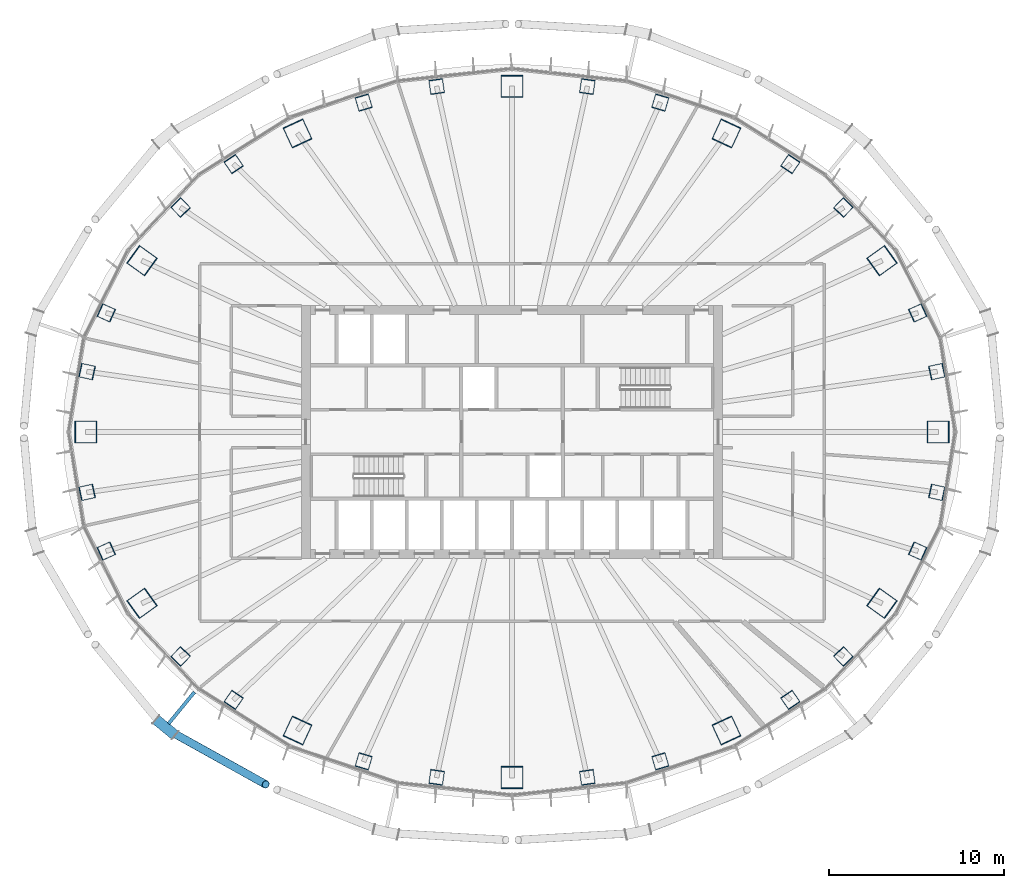
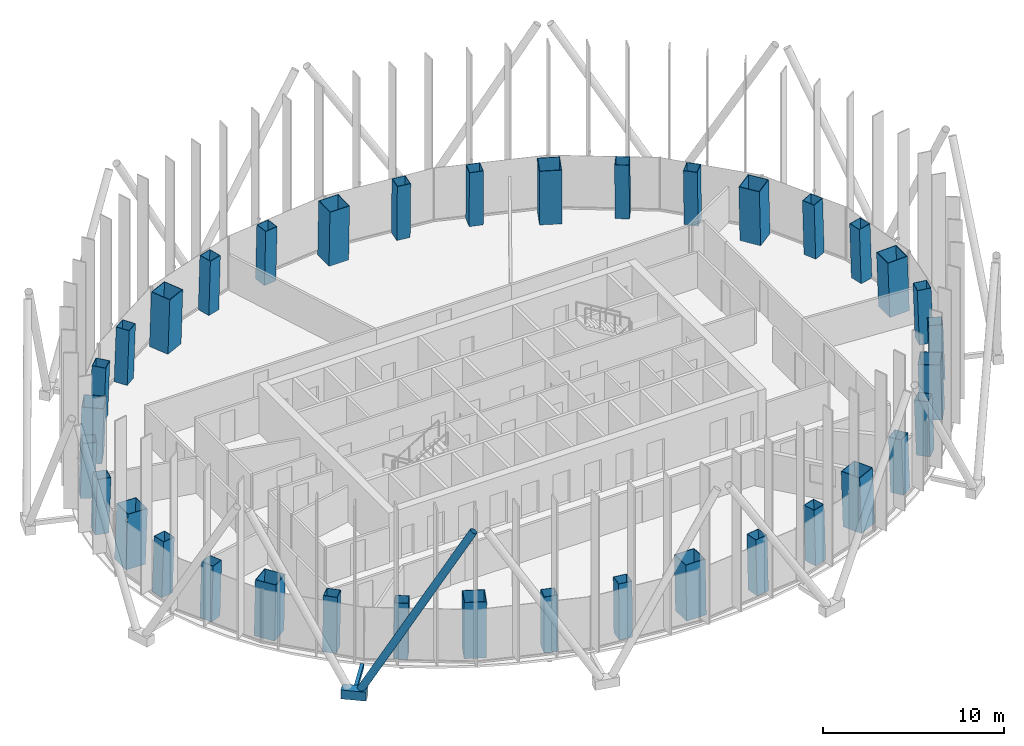
# One storey, part 1 of 19: 36 columns, 3 members.
"""IFC4 building model written with IfcOpenShell, lengths in metres."""

from ifc_helpers import new_model, si_unit, direction, frame, origin, origin_2d, place, context, subcontext, project, spatial, hollow_rectangle, hollow_circle, extrude, material, material_profile, profile_set, type_object, element, save


model = new_model("IFC4")

# Units and contexts
model_context = context("Model", 3, precision=1e-05, world=origin(), true_north=direction((0.0, 1.0)))
body_context = subcontext(model_context, "Body", "Model", "MODEL_VIEW")
ifc_project = project(units=[si_unit("LENGTHUNIT", "METRE"), si_unit("AREAUNIT", "SQUARE_METRE"), si_unit("VOLUMEUNIT", "CUBIC_METRE"), si_unit("PLANEANGLEUNIT", "RADIAN"), si_unit("MASSUNIT", "GRAM", prefix="KILO")], contexts=[model_context])

# Site, building, storey
site_placement = place(None, origin())
site = spatial("IfcSite", under=ifc_project, at=site_placement, CompositionType="ELEMENT")
building_placement = place(site_placement, origin())
building = spatial("IfcBuilding", under=site, at=building_placement, Name="Siaravel Broadcast Tower", CompositionType="ELEMENT")
storey_placement = place(building_placement, frame((0.0, 0.0, 119.300048828125)))
storey = spatial("IfcBuildingStorey", under=building, at=storey_placement, Name="L28", CompositionType="ELEMENT", Elevation=119.300048828125)

# Columns
ifc_material_1 = material(Name="Concrete C60/75", Category="concrete")
ifc_material_profile_1 = material_profile(ifc_material_1, hollow_rectangle(XDim=1.25, YDim=1.25, WallThickness=0.031982421875, at=origin_2d()))
ifc_profile_set_1 = profile_set([ifc_material_profile_1], Name="Concrete C60/75")
column_type_1 = type_object("IfcColumnType", Name="COL-CFT BOX 1250x1250x32", PredefinedType="COLUMN", material=ifc_profile_set_1)
column_1_placement = place(storey_placement, frame((24.313232421875, 0.0, 0.0), z_axis=(-0.034555398, 0.0, 0.999402784), x_axis=(0.0, -1.0, 0.0)))
element("IfcColumn", 1, at=column_1_placement, inside=storey, type_object=column_type_1, Name="Megacolumn MC01", PredefinedType="COLUMN", context=body_context, shape_type="SweptSolid", body=[
    extrude(hollow_rectangle(XDim=1.25, YDim=1.25, WallThickness=0.031982421875, at=origin_2d()), origin(), (0.0, 0.0, 1.0), 3.7021484375),
])
column_2_placement = place(storey_placement, frame((21.109375, 9.7744140625, 0.0), z_axis=(-0.029940667, -0.01417895, 0.999451106), x_axis=(0.583065954, -0.812403096, 0.005941622)))
element("IfcColumn", 2, at=column_2_placement, inside=storey, type_object=column_type_1, Name="Megacolumn MC02", PredefinedType="COLUMN", context=body_context, shape_type="SweptSolid", body=[
    extrude(hollow_rectangle(XDim=1.25, YDim=1.25, WallThickness=0.031982421875, at=origin_2d()), origin(), (0.0, 0.0, 1.0), 3.701904296875),
])
column_3_placement = place(storey_placement, frame((12.236328125, 17.032958984375, 0.0), z_axis=(-0.017280237, -0.024535299, 0.999549605), x_axis=(0.907920416, -0.419107701, 0.005408584)))
element("IfcColumn", 3, at=column_3_placement, inside=storey, type_object=column_type_1, Name="Megacolumn MC03", PredefinedType="COLUMN", context=body_context, shape_type="SweptSolid", body=[
    extrude(hollow_rectangle(XDim=1.25, YDim=1.25, WallThickness=0.031982421875, at=origin_2d()), origin(), (0.0, 0.0, 1.0), 3.70166015625),
])
column_4_placement = place(storey_placement, frame((0.0, 19.71630859375, 0.0), z_axis=(0.0, -0.02836206, 0.999597716), x_axis=(1.0, 0.0, 0.0)))
element("IfcColumn", 4, at=column_4_placement, inside=storey, type_object=column_type_1, Name="Megacolumn MC04", PredefinedType="COLUMN", context=body_context, shape_type="SweptSolid", body=[
    extrude(hollow_rectangle(XDim=1.25, YDim=1.25, WallThickness=0.031982421875, at=origin_2d()), origin(), (0.0, 0.0, 1.0), 3.701416015625),
])
column_5_placement = place(storey_placement, frame((-12.236328125, 17.032958984375, 0.0), z_axis=(0.017280237, -0.024535299, 0.999549605), x_axis=(0.907920416, 0.419107701, -0.005408584)))
element("IfcColumn", 5, at=column_5_placement, inside=storey, type_object=column_type_1, Name="Megacolumn MC05", PredefinedType="COLUMN", context=body_context, shape_type="SweptSolid", body=[
    extrude(hollow_rectangle(XDim=1.25, YDim=1.25, WallThickness=0.031982421875, at=origin_2d()), origin(), (0.0, 0.0, 1.0), 3.70166015625),
])
column_6_placement = place(storey_placement, frame((-21.109375, 9.7744140625, 0.0), z_axis=(0.029940667, -0.01417895, 0.999451106), x_axis=(0.583065954, 0.812403096, -0.005941622)))
element("IfcColumn", 6, at=column_6_placement, inside=storey, type_object=column_type_1, Name="Megacolumn MC06", PredefinedType="COLUMN", context=body_context, shape_type="SweptSolid", body=[
    extrude(hollow_rectangle(XDim=1.25, YDim=1.25, WallThickness=0.031982421875, at=origin_2d()), origin(), (0.0, 0.0, 1.0), 3.701904296875),
])
column_7_placement = place(storey_placement, frame((-24.313232421875, 0.0, 0.0), z_axis=(0.034555398, 0.0, 0.999402784), x_axis=(0.0, 1.0, 0.0)))
element("IfcColumn", 7, at=column_7_placement, inside=storey, type_object=column_type_1, Name="Megacolumn MC07", PredefinedType="COLUMN", context=body_context, shape_type="SweptSolid", body=[
    extrude(hollow_rectangle(XDim=1.25, YDim=1.25, WallThickness=0.031982421875, at=origin_2d()), origin(), (0.0, 0.0, 1.0), 3.7021484375),
])
column_8_placement = place(storey_placement, frame((-21.109375, -9.7744140625, 0.0), z_axis=(0.029940667, 0.01417895, 0.999451106), x_axis=(-0.583065954, 0.812403096, 0.005941622)))
element("IfcColumn", 8, at=column_8_placement, inside=storey, type_object=column_type_1, Name="Megacolumn MC08", PredefinedType="COLUMN", context=body_context, shape_type="SweptSolid", body=[
    extrude(hollow_rectangle(XDim=1.25, YDim=1.25, WallThickness=0.031982421875, at=origin_2d()), origin(), (0.0, 0.0, 1.0), 3.701904296875),
])
column_9_placement = place(storey_placement, frame((-12.236328125, -17.032958984375, 0.0), z_axis=(0.017280237, 0.024535299, 0.999549605), x_axis=(-0.907920416, 0.419107701, 0.005408584)))
element("IfcColumn", 9, at=column_9_placement, inside=storey, type_object=column_type_1, Name="Megacolumn MC09", PredefinedType="COLUMN", context=body_context, shape_type="SweptSolid", body=[
    extrude(hollow_rectangle(XDim=1.25, YDim=1.25, WallThickness=0.031982421875, at=origin_2d()), origin(), (0.0, 0.0, 1.0), 3.70166015625),
])
column_10_placement = place(storey_placement, frame((0.0, -19.71630859375, 0.0), z_axis=(0.0, 0.02836206, 0.999597716), x_axis=(-1.0, 0.0, 0.0)))
element("IfcColumn", 10, at=column_10_placement, inside=storey, type_object=column_type_1, Name="Megacolumn MC10", PredefinedType="COLUMN", context=body_context, shape_type="SweptSolid", body=[
    extrude(hollow_rectangle(XDim=1.25, YDim=1.25, WallThickness=0.031982421875, at=origin_2d()), origin(), (0.0, 0.0, 1.0), 3.701416015625),
])
column_11_placement = place(storey_placement, frame((12.236328125, -17.032958984375, 0.0), z_axis=(-0.017280237, 0.024535299, 0.999549605), x_axis=(-0.907920416, -0.419107701, -0.005408584)))
element("IfcColumn", 11, at=column_11_placement, inside=storey, type_object=column_type_1, Name="Megacolumn MC11", PredefinedType="COLUMN", context=body_context, shape_type="SweptSolid", body=[
    extrude(hollow_rectangle(XDim=1.25, YDim=1.25, WallThickness=0.031982421875, at=origin_2d()), origin(), (0.0, 0.0, 1.0), 3.70166015625),
])
column_12_placement = place(storey_placement, frame((21.109375, -9.7744140625, 0.0), z_axis=(-0.029940667, 0.01417895, 0.999451106), x_axis=(-0.583065954, -0.812403096, -0.005941622)))
element("IfcColumn", 12, at=column_12_placement, inside=storey, type_object=column_type_1, Name="Megacolumn MC12", PredefinedType="COLUMN", context=body_context, shape_type="SweptSolid", body=[
    extrude(hollow_rectangle(XDim=1.25, YDim=1.25, WallThickness=0.031982421875, at=origin_2d()), origin(), (0.0, 0.0, 1.0), 3.701904296875),
])
ifc_material_profile_2 = material_profile(ifc_material_1, hollow_rectangle(XDim=0.800048828125, YDim=0.800048828125, WallThickness=0.02490234375, at=origin_2d()))
ifc_profile_set_2 = profile_set([ifc_material_profile_2], Name="Concrete C60/75")
column_type_2 = type_object("IfcColumnType", Name="COL-CFT BOX 800x800x25", PredefinedType="COLUMN", material=ifc_profile_set_2)
for number, where, z_axis, x_axis, name in (
    (13, (24.2451171875, 3.4462890625, 0.0), (-0.034093903, -0.004945924, 0.999406396), (0.213196616, -0.977006274, 0.002437953), "Perimeter column C01"),
    (14, (23.1494140625, 6.794677734375, 0.0), (-0.032445914, -0.009694206, 0.999426478), (0.410409359, -0.911890399, 0.004478622), "Perimeter column C02"),
):
    element("IfcColumn", number, at=place(storey_placement, frame(where, z_axis=z_axis, x_axis=x_axis)), inside=storey, type_object=column_type_2, Name=name, PredefinedType="COLUMN", context=body_context, shape_type="SweptSolid", body=[
        extrude(hollow_rectangle(XDim=0.800048828125, YDim=0.800048828125, WallThickness=0.02490234375, at=origin_2d()), origin(), (0.0, 0.0, 1.0), 3.7021484375),
    ])
column_13_placement = place(storey_placement, frame((18.90869140625, 12.80810546875, 0.0), z_axis=(-0.026446242, -0.018268352, 0.999483298), x_axis=(0.72185211, -0.692017274, 0.006451594)))
element("IfcColumn", 15, at=column_13_placement, inside=storey, type_object=column_type_2, Name="Perimeter column C03", PredefinedType="COLUMN", context=body_context, shape_type="SweptSolid", body=[
    extrude(hollow_rectangle(XDim=0.800048828125, YDim=0.800048828125, WallThickness=0.02490234375, at=origin_2d()), origin(), (0.0, 0.0, 1.0), 3.701904296875),
])
column_14_placement = place(storey_placement, frame((15.882080078125, 15.286865234375, 0.0), z_axis=(-0.022226156, -0.021698532, 0.999517469), x_axis=(0.82803787, -0.560637425, 0.006242102)))
element("IfcColumn", 16, at=column_14_placement, inside=storey, type_object=column_type_2, Name="Perimeter column C04", PredefinedType="COLUMN", context=body_context, shape_type="SweptSolid", body=[
    extrude(hollow_rectangle(XDim=0.800048828125, YDim=0.800048828125, WallThickness=0.02490234375, at=origin_2d()), origin(), (0.0, 0.0, 1.0), 3.70166015625),
])
for number, where, z_axis, x_axis, name in (
    (17, (8.46337890625, 18.794189453125, 0.0), (-0.011872234, -0.026580613, 0.999576171), (0.959163098, -0.282827093, 0.003871332), "Perimeter column C05"),
    (18, (4.298583984375, 19.708251953125, 0.0), (-0.006002173, -0.027900212, 0.999592693), (0.99012791, -0.14015201, 0.002033477), "Perimeter column C06"),
    (19, (-4.298583984375, 19.708251953125, 0.0), (0.006002173, -0.027900212, 0.999592693), (0.99012791, 0.14015201, -0.002033477), "Perimeter column C07"),
    (20, (-8.46337890625, 18.794189453125, 0.0), (0.011872234, -0.026580613, 0.999576171), (0.959163098, 0.282827093, -0.003871332), "Perimeter column C08"),
):
    element("IfcColumn", number, at=place(storey_placement, frame(where, z_axis=z_axis, x_axis=x_axis)), inside=storey, type_object=column_type_2, Name=name, PredefinedType="COLUMN", context=body_context, shape_type="SweptSolid", body=[
        extrude(hollow_rectangle(XDim=0.800048828125, YDim=0.800048828125, WallThickness=0.02490234375, at=origin_2d()), origin(), (0.0, 0.0, 1.0), 3.701416015625),
    ])
column_15_placement = place(storey_placement, frame((-15.882080078125, 15.286865234375, 0.0), z_axis=(0.022226156, -0.021698532, 0.999517469), x_axis=(0.82803787, 0.560637425, -0.006242102)))
element("IfcColumn", 21, at=column_15_placement, inside=storey, type_object=column_type_2, Name="Perimeter column C09", PredefinedType="COLUMN", context=body_context, shape_type="SweptSolid", body=[
    extrude(hollow_rectangle(XDim=0.800048828125, YDim=0.800048828125, WallThickness=0.02490234375, at=origin_2d()), origin(), (0.0, 0.0, 1.0), 3.70166015625),
])
column_16_placement = place(storey_placement, frame((-18.90869140625, 12.80810546875, 0.0), z_axis=(0.026446242, -0.018268352, 0.999483298), x_axis=(0.72185211, 0.692017274, -0.006451594)))
element("IfcColumn", 22, at=column_16_placement, inside=storey, type_object=column_type_2, Name="Perimeter column C10", PredefinedType="COLUMN", context=body_context, shape_type="SweptSolid", body=[
    extrude(hollow_rectangle(XDim=0.800048828125, YDim=0.800048828125, WallThickness=0.02490234375, at=origin_2d()), origin(), (0.0, 0.0, 1.0), 3.701904296875),
])
for number, where, z_axis, x_axis, name in (
    (23, (-23.1494140625, 6.794677734375, 0.0), (0.032445914, -0.009694206, 0.999426478), (0.410409359, 0.911890399, -0.004478622), "Perimeter column C11"),
    (24, (-24.2451171875, 3.4462890625, 0.0), (0.034093903, -0.004945924, 0.999406396), (0.213196616, 0.977006274, -0.002437953), "Perimeter column C12"),
    (25, (-24.2451171875, -3.4462890625, 0.0), (0.034093903, 0.004945924, 0.999406396), (-0.213196616, 0.977006274, 0.002437953), "Perimeter column C13"),
    (26, (-23.1494140625, -6.794677734375, 0.0), (0.032445914, 0.009694206, 0.999426478), (-0.410409359, 0.911890399, 0.004478622), "Perimeter column C14"),
):
    element("IfcColumn", number, at=place(storey_placement, frame(where, z_axis=z_axis, x_axis=x_axis)), inside=storey, type_object=column_type_2, Name=name, PredefinedType="COLUMN", context=body_context, shape_type="SweptSolid", body=[
        extrude(hollow_rectangle(XDim=0.800048828125, YDim=0.800048828125, WallThickness=0.02490234375, at=origin_2d()), origin(), (0.0, 0.0, 1.0), 3.7021484375),
    ])
column_17_placement = place(storey_placement, frame((-18.90869140625, -12.80810546875, 0.0), z_axis=(0.026446242, 0.018268352, 0.999483298), x_axis=(-0.72185211, 0.692017274, 0.006451594)))
element("IfcColumn", 27, at=column_17_placement, inside=storey, type_object=column_type_2, Name="Perimeter column C15", PredefinedType="COLUMN", context=body_context, shape_type="SweptSolid", body=[
    extrude(hollow_rectangle(XDim=0.800048828125, YDim=0.800048828125, WallThickness=0.02490234375, at=origin_2d()), origin(), (0.0, 0.0, 1.0), 3.701904296875),
])
column_18_placement = place(storey_placement, frame((-15.882080078125, -15.286865234375, 0.0), z_axis=(0.022226156, 0.021698532, 0.999517469), x_axis=(-0.82803787, 0.560637425, 0.006242102)))
element("IfcColumn", 28, at=column_18_placement, inside=storey, type_object=column_type_2, Name="Perimeter column C16", PredefinedType="COLUMN", context=body_context, shape_type="SweptSolid", body=[
    extrude(hollow_rectangle(XDim=0.800048828125, YDim=0.800048828125, WallThickness=0.02490234375, at=origin_2d()), origin(), (0.0, 0.0, 1.0), 3.70166015625),
])
for number, where, z_axis, x_axis, name in (
    (29, (-8.46337890625, -18.794189453125, 0.0), (0.011872234, 0.026580613, 0.999576171), (-0.959163098, 0.282827093, 0.003871332), "Perimeter column C17"),
    (30, (-4.298583984375, -19.708251953125, 0.0), (0.006002173, 0.027900212, 0.999592693), (-0.99012791, 0.14015201, 0.002033477), "Perimeter column C18"),
    (31, (4.298583984375, -19.708251953125, 0.0), (-0.006002173, 0.027900212, 0.999592693), (-0.99012791, -0.14015201, -0.002033477), "Perimeter column C19"),
    (32, (8.46337890625, -18.794189453125, 0.0), (-0.011872234, 0.026580613, 0.999576171), (-0.959163098, -0.282827093, -0.003871332), "Perimeter column C20"),
):
    element("IfcColumn", number, at=place(storey_placement, frame(where, z_axis=z_axis, x_axis=x_axis)), inside=storey, type_object=column_type_2, Name=name, PredefinedType="COLUMN", context=body_context, shape_type="SweptSolid", body=[
        extrude(hollow_rectangle(XDim=0.800048828125, YDim=0.800048828125, WallThickness=0.02490234375, at=origin_2d()), origin(), (0.0, 0.0, 1.0), 3.701416015625),
    ])
column_19_placement = place(storey_placement, frame((15.882080078125, -15.286865234375, 0.0), z_axis=(-0.022226156, 0.021698532, 0.999517469), x_axis=(-0.82803787, -0.560637425, -0.006242102)))
element("IfcColumn", 33, at=column_19_placement, inside=storey, type_object=column_type_2, Name="Perimeter column C21", PredefinedType="COLUMN", context=body_context, shape_type="SweptSolid", body=[
    extrude(hollow_rectangle(XDim=0.800048828125, YDim=0.800048828125, WallThickness=0.02490234375, at=origin_2d()), origin(), (0.0, 0.0, 1.0), 3.70166015625),
])
column_20_placement = place(storey_placement, frame((18.90869140625, -12.80810546875, 0.0), z_axis=(-0.026446242, 0.018268352, 0.999483298), x_axis=(-0.72185211, -0.692017274, -0.006451594)))
element("IfcColumn", 34, at=column_20_placement, inside=storey, type_object=column_type_2, Name="Perimeter column C22", PredefinedType="COLUMN", context=body_context, shape_type="SweptSolid", body=[
    extrude(hollow_rectangle(XDim=0.800048828125, YDim=0.800048828125, WallThickness=0.02490234375, at=origin_2d()), origin(), (0.0, 0.0, 1.0), 3.701904296875),
])
for number, where, z_axis, x_axis, name in (
    (35, (23.1494140625, -6.794677734375, 0.0), (-0.032445914, 0.009694206, 0.999426478), (-0.410409359, -0.911890399, -0.004478622), "Perimeter column C23"),
    (36, (24.2451171875, -3.4462890625, 0.0), (-0.034093903, 0.004945924, 0.999406396), (-0.213196616, -0.977006274, -0.002437953), "Perimeter column C24"),
):
    element("IfcColumn", number, at=place(storey_placement, frame(where, z_axis=z_axis, x_axis=x_axis)), inside=storey, type_object=column_type_2, Name=name, PredefinedType="COLUMN", context=body_context, shape_type="SweptSolid", body=[
        extrude(hollow_rectangle(XDim=0.800048828125, YDim=0.800048828125, WallThickness=0.02490234375, at=origin_2d()), origin(), (0.0, 0.0, 1.0), 3.7021484375),
    ])

# Members
ifc_material_2 = material(Name="Steel S460", Category="steel")
ifc_material_profile_3 = material_profile(ifc_material_2, hollow_circle(Radius=0.228515625, WallThickness=0.02001953125, at=origin_2d()))
ifc_profile_set_3 = profile_set([ifc_material_profile_3], Name="Steel S460")
member_type_1 = type_object("IfcMemberType", Name="Diagrid diagonal CHS 457x20", PredefinedType="BRACE", material=ifc_profile_set_3)
member_1_placement = place(storey_placement, frame((-19.4814453125, -17.064453125, 0.070068359375), z_axis=(0.443890215, -0.246908829, 0.861392772), x_axis=(0.486098934, 0.873903786, 0.0)))
element("IfcMember", 37, at=member_1_placement, inside=storey, type_object=member_type_1, Name="Diagrid diagonal R12 station 45A", PredefinedType="BRACE", context=body_context, shape_type="SweptSolid", body=[
    extrude(hollow_circle(Radius=0.228515625, WallThickness=0.02001953125, at=origin_2d()), origin(), (0.0, 0.0, 1.0), 12.259033203125),
])
ifc_material_profile_4 = material_profile(ifc_material_2, hollow_rectangle(XDim=0.60009765625, YDim=0.60009765625, WallThickness=0.0400390625, at=origin_2d()))
ifc_profile_set_4 = profile_set([ifc_material_profile_4], Name="Steel S460")
member_type_2 = type_object("IfcMemberType", Name="Diagrid node BOX 600x600x40", PredefinedType="USERDEFINED", material=ifc_profile_set_4)
member_2_placement = place(storey_placement, frame((-20.294677734375, -16.3984375, -0.199951171875), z_axis=(0.773584133, -0.633693609, 0.0), x_axis=(0.633693609, 0.773584133, 0.0)))
element("IfcMember", 38, at=member_2_placement, inside=storey, type_object=member_type_2, Name="Diagrid node R12 station 45", ObjectType="DIAGRID NODE", PredefinedType="USERDEFINED", context=body_context, shape_type="SweptSolid", body=[
    extrude(hollow_rectangle(XDim=0.60009765625, YDim=0.60009765625, WallThickness=0.0400390625, at=origin_2d()), origin(), (0.0, 0.0, 1.0), 1.399658203125),
])
ifc_material_profile_5 = material_profile(ifc_material_2, hollow_rectangle(XDim=0.199951171875, YDim=0.300048828125, WallThickness=0.012451171875, at=origin_2d()))
ifc_profile_set_5 = profile_set([ifc_material_profile_5], Name="Steel S460")
member_type_3 = type_object("IfcMemberType", Name="Diagrid node arm RHS 300x200x12.5", PredefinedType="STRUT", material=ifc_profile_set_5)
member_3_placement = place(storey_placement, frame((-18.105712890625, -14.83056640625, -0.199951171875), z_axis=(-0.633637135, -0.77363039, 0.0), x_axis=(0.77363039, -0.633637135, 0.0)))
element("IfcMember", 39, at=member_3_placement, inside=storey, type_object=member_type_3, Name="Node arm R12 station 45", PredefinedType="STRUT", context=body_context, shape_type="SweptSolid", body=[
    extrude(hollow_rectangle(XDim=0.199951171875, YDim=0.300048828125, WallThickness=0.012451171875, at=origin_2d()), origin(), (0.0, 0.0, 1.0), 2.329833984375),
])

save(model, "model.ifc")
